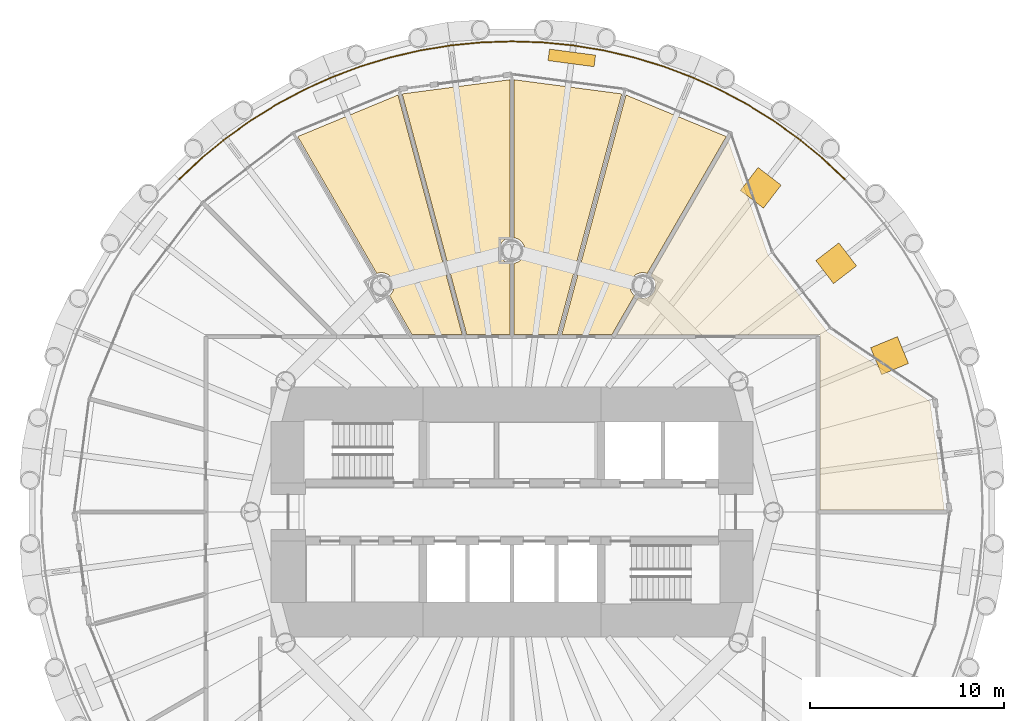
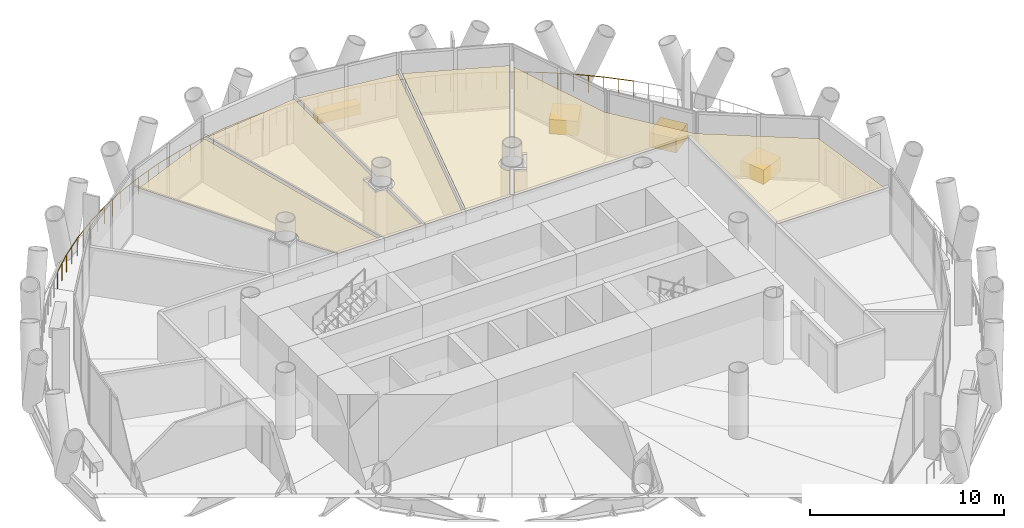
# One storey, part 16 of 16: 9 coverings, 1 railing.
"""IFC4 building model written with IfcOpenShell, lengths in metres."""

from ifc_helpers import new_model, si_unit, direction, frame, origin, origin_2d, place, context, subcontext, project, spatial, polyline, rectangle, circle, outline, extrude, material, layer, layer_set, type_object, element, save


model = new_model("IFC4")

# Units and contexts
model_context = context("Model", 3, precision=1e-05, world=origin(), true_north=direction((0.0, 1.0)))
body_context = subcontext(model_context, "Body", "Model", "MODEL_VIEW")
ifc_project = project(units=[si_unit("LENGTHUNIT", "METRE"), si_unit("AREAUNIT", "SQUARE_METRE"), si_unit("VOLUMEUNIT", "CUBIC_METRE"), si_unit("PLANEANGLEUNIT", "RADIAN"), si_unit("MASSUNIT", "GRAM", prefix="KILO")], contexts=[model_context])

# Site, building, storey
site_placement = place(None, origin())
site = spatial("IfcSite", under=ifc_project, at=site_placement, CompositionType="ELEMENT")
building_placement = place(site_placement, origin())
building = spatial("IfcBuilding", under=site, at=building_placement, Name="Qaws Media Tower", CompositionType="ELEMENT")
storey_placement = place(building_placement, frame((0.0, 0.0, 135.199951171875)))
storey = spatial("IfcBuildingStorey", under=building, at=storey_placement, Name="L30", CompositionType="ELEMENT", Elevation=135.199951171875)

# Covering
ifc_material_1 = material(Name="40 perforated acoustic panels with mineral wool backing, suspended", Category="mineral fibre")
ifc_layer_1 = layer(ifc_material_1, 0.0400390625)
ifc_layer_set_1 = layer_set([ifc_layer_1], Name="Acoustic panel ceiling 40")
covering_type_1 = type_object("IfcCoveringType", Name="Acoustic panel ceiling 40", PredefinedType="CEILING", material=ifc_layer_set_1)
covering_1_placement = place(storey_placement, frame((0.0, 0.0, 2.85009765625)))
element("IfcCovering", 1, at=covering_1_placement, inside=storey, type_object=covering_type_1, Name="CL3 ceiling L30-05 Meeting room", PredefinedType="CEILING", context=body_context, shape_type="SweptSolid", body=[
    extrude(outline(polyline([(59.887451171875, 72.3203125), (59.887451171875, 64.1572265625), (59.8271484375, 64.145263671875), (59.744384765625, 64.1171875), (59.666015625, 64.07861328125), (59.59326171875, 64.030029296875), (59.527587890625, 63.972412109375), (59.469970703125, 63.90673828125), (59.42138671875, 63.833984375), (59.3828125, 63.755615234375), (59.354736328125, 63.6728515625), (59.337646484375, 63.587158203125), (59.33203125, 63.5), (59.337646484375, 63.412841796875), (59.354736328125, 63.3271484375), (59.3828125, 63.244384765625), (59.42138671875, 63.166015625), (59.469970703125, 63.09326171875), (59.527587890625, 63.027587890625), (59.59326171875, 62.969970703125), (59.666015625, 62.92138671875), (59.744384765625, 62.8828125), (59.8271484375, 62.854736328125), (59.887451171875, 62.8427734375), (59.887451171875, 59.16259765625), (57.661376953125, 59.16259765625), (54.331787109375, 71.589111328125), (59.887451171875, 72.3203125)])), origin(), (0.0, 0.0, 1.0), 0.0400390625),
])

# Railing
ifc_material_2 = material(Name="Stainless steel and glass guard", Category="steel")
railing_type = type_object("IfcRailingType", Name="Balcony guard 1100", PredefinedType="GUARDRAIL", material=ifc_material_2)
railing_placement = place(storey_placement, frame((77.1826171875, 67.1826171875, 0.0)))
element("IfcRailing", 2, at=railing_placement, inside=storey, type_object=railing_type, Name="GR1 balcony guard L30-1", PredefinedType="GUARDRAIL", context=body_context, shape_type="SweptSolid", body=[
    extrude(circle(Radius=0.02392578125, at=origin_2d()), frame((0.0, 0.0, 1.076171875), z_axis=(-0.729762203547, 0.683701050367, 0.0), x_axis=(-0.683701050367, -0.729762203547, 0.0)), (0.0, 0.0, 1.0), 1.590087890625),
    extrude(circle(Radius=0.02392578125, at=origin_2d()), frame((-1.160400390625, 1.087158203125, 1.076171875), z_axis=(-0.77301931576, 0.634382485148, 0.0), x_axis=(-0.634382485148, -0.77301931576, 0.0)), (0.0, 0.0, 1.0), 1.590087890625),
    extrude(circle(Radius=0.02392578125, at=origin_2d()), frame((-2.3896484375, 2.095947265625, 1.076171875), z_axis=(-0.812871639536, 0.582442870708, 0.0), x_axis=(-0.582442870708, -0.812871639536, 0.0)), (0.0, 0.0, 1.0), 1.59033203125),
    extrude(circle(Radius=0.02392578125, at=origin_2d()), frame((-3.682373046875, 3.022216796875, 1.076171875), z_axis=(-0.849229502539, 0.528023912354, 0.0), x_axis=(-0.528023912354, -0.849229502539, 0.0)), (0.0, 0.0, 1.0), 1.590087890625),
    extrude(circle(Radius=0.02392578125, at=origin_2d()), frame((-5.03271484375, 3.86181640625, 1.076171875), z_axis=(-0.881936070718, 0.471369035011, 0.0), x_axis=(-0.471369035011, -0.881936070718, 0.0)), (0.0, 0.0, 1.0), 1.590087890625),
    extrude(circle(Radius=0.02392578125, at=origin_2d()), frame((-6.43505859375, 4.611328125, 1.076171875), z_axis=(-0.910849638216, 0.412738339097, 0.0), x_axis=(-0.412738339097, -0.910849638216, 0.0)), (0.0, 0.0, 1.0), 1.590087890625),
    extrude(circle(Radius=0.02392578125, at=origin_2d()), frame((-7.88330078125, 5.267578125, 1.076171875), z_axis=(-0.935874135155, 0.352334504623, 0.0), x_axis=(-0.352334504623, -0.935874135155, 0.0)), (0.0, 0.0, 1.0), 1.59033203125),
    extrude(circle(Radius=0.02392578125, at=origin_2d()), frame((-9.37158203125, 5.827880859375, 1.076171875), z_axis=(-0.956972738036, 0.290177839706, 0.0), x_axis=(-0.290177839706, -0.956972738036, 0.0)), (0.0, 0.0, 1.0), 1.590087890625),
    extrude(circle(Radius=0.02392578125, at=origin_2d()), frame((-10.893310546875, 6.289306640625, 1.076171875), z_axis=(-0.973876305837, 0.227079151243, 0.0), x_axis=(-0.227079151243, -0.973876305837, 0.0)), (0.0, 0.0, 1.0), 1.590087890625),
    extrude(circle(Radius=0.02392578125, at=origin_2d()), frame((-12.44189453125, 6.650390625, 1.076171875), z_axis=(-0.986641774784, 0.162904905547, 0.0), x_axis=(-0.162904905547, -0.986641774784, 0.0)), (0.0, 0.0, 1.0), 1.590087890625),
    extrude(circle(Radius=0.02392578125, at=origin_2d()), frame((-14.0107421875, 6.909423828125, 1.076171875), z_axis=(-0.995176055804, 0.098105137251, 0.0), x_axis=(-0.098105137251, -0.995176055804, 0.0)), (0.0, 0.0, 1.0), 1.590087890625),
    extrude(circle(Radius=0.02392578125, at=origin_2d()), frame((-15.59326171875, 7.0654296875, 1.076171875), z_axis=(-0.999465166364, 0.032701394844, 0.0), x_axis=(-0.032701394844, -0.999465166364, 0.0)), (0.0, 0.0, 1.0), 1.590087890625),
    extrude(circle(Radius=0.02392578125, at=origin_2d()), frame((-17.1826171875, 7.117431640625, 1.076171875), z_axis=(-0.999465166364, -0.032701394844, 0.0), x_axis=(0.032701394844, -0.999465166364, 0.0)), (0.0, 0.0, 1.0), 1.590087890625),
    extrude(circle(Radius=0.02392578125, at=origin_2d()), frame((-18.77197265625, 7.0654296875, 1.076171875), z_axis=(-0.995176055804, -0.098105137251, 0.0), x_axis=(0.098105137251, -0.995176055804, 0.0)), (0.0, 0.0, 1.0), 1.590087890625),
    extrude(circle(Radius=0.02392578125, at=origin_2d()), frame((-20.3544921875, 6.909423828125, 1.076171875), z_axis=(-0.986641774784, -0.162904905547, 0.0), x_axis=(0.162904905547, -0.986641774784, 0.0)), (0.0, 0.0, 1.0), 1.590087890625),
    extrude(circle(Radius=0.02392578125, at=origin_2d()), frame((-21.92333984375, 6.650390625, 1.076171875), z_axis=(-0.973876305837, -0.227079151243, 0.0), x_axis=(0.227079151243, -0.973876305837, 0.0)), (0.0, 0.0, 1.0), 1.590087890625),
    extrude(circle(Radius=0.02392578125, at=origin_2d()), frame((-23.471923828125, 6.289306640625, 1.076171875), z_axis=(-0.956972738036, -0.290177839706, 0.0), x_axis=(0.290177839706, -0.956972738036, 0.0)), (0.0, 0.0, 1.0), 1.590087890625),
    extrude(circle(Radius=0.02392578125, at=origin_2d()), frame((-24.99365234375, 5.827880859375, 1.076171875), z_axis=(-0.935874135155, -0.352334504623, 0.0), x_axis=(0.352334504623, -0.935874135155, 0.0)), (0.0, 0.0, 1.0), 1.59033203125),
    extrude(circle(Radius=0.02392578125, at=origin_2d()), frame((-26.48193359375, 5.267578125, 1.076171875), z_axis=(-0.910849638216, -0.412738339097, 0.0), x_axis=(0.412738339097, -0.910849638216, 0.0)), (0.0, 0.0, 1.0), 1.590087890625),
    extrude(circle(Radius=0.02392578125, at=origin_2d()), frame((-27.93017578125, 4.611328125, 1.076171875), z_axis=(-0.881936070718, -0.471369035011, 0.0), x_axis=(0.471369035011, -0.881936070718, 0.0)), (0.0, 0.0, 1.0), 1.590087890625),
    extrude(circle(Radius=0.02392578125, at=origin_2d()), frame((-29.33251953125, 3.86181640625, 1.076171875), z_axis=(-0.849229502539, -0.528023912354, 0.0), x_axis=(0.528023912354, -0.849229502539, 0.0)), (0.0, 0.0, 1.0), 1.590087890625),
    extrude(circle(Radius=0.02392578125, at=origin_2d()), frame((-30.682861328125, 3.022216796875, 1.076171875), z_axis=(-0.812871639536, -0.582442870708, 0.0), x_axis=(0.582442870708, -0.812871639536, 0.0)), (0.0, 0.0, 1.0), 1.59033203125),
    extrude(circle(Radius=0.02392578125, at=origin_2d()), frame((-31.9755859375, 2.095947265625, 1.076171875), z_axis=(-0.77301931576, -0.634382485148, 0.0), x_axis=(0.634382485148, -0.77301931576, 0.0)), (0.0, 0.0, 1.0), 1.590087890625),
    extrude(circle(Radius=0.02392578125, at=origin_2d()), frame((-33.204833984375, 1.087158203125, 1.076171875), z_axis=(-0.729762203547, -0.683701050367, 0.0), x_axis=(0.683701050367, -0.729762203547, 0.0)), (0.0, 0.0, 1.0), 1.590087890625),
    extrude(circle(Radius=0.02099609375, at=origin_2d()), origin(), (0.0, 0.0, 1.0), 1.052001953125),
    extrude(circle(Radius=0.02099609375, at=origin_2d()), frame((-0.580078125, 0.54345703125, 0.0)), (0.0, 0.0, 1.0), 1.052001953125),
    extrude(circle(Radius=0.02099609375, at=origin_2d()), frame((-1.160400390625, 1.087158203125, 0.0)), (0.0, 0.0, 1.0), 1.052001953125),
    extrude(circle(Radius=0.02099609375, at=origin_2d()), frame((-1.77490234375, 1.591552734375, 0.0)), (0.0, 0.0, 1.0), 1.052001953125),
    extrude(circle(Radius=0.02099609375, at=origin_2d()), frame((-2.3896484375, 2.095947265625, 0.0)), (0.0, 0.0, 1.0), 1.052001953125),
    extrude(circle(Radius=0.02099609375, at=origin_2d()), frame((-3.0361328125, 2.55908203125, 0.0)), (0.0, 0.0, 1.0), 1.052001953125),
    extrude(circle(Radius=0.02099609375, at=origin_2d()), frame((-3.682373046875, 3.022216796875, 0.0)), (0.0, 0.0, 1.0), 1.052001953125),
    extrude(circle(Radius=0.02099609375, at=origin_2d()), frame((-4.357421875, 3.44189453125, 0.0)), (0.0, 0.0, 1.0), 1.052001953125),
    extrude(circle(Radius=0.02099609375, at=origin_2d()), frame((-5.03271484375, 3.86181640625, 0.0)), (0.0, 0.0, 1.0), 1.052001953125),
    extrude(circle(Radius=0.02099609375, at=origin_2d()), frame((-5.73388671875, 4.236572265625, 0.0)), (0.0, 0.0, 1.0), 1.052001953125),
    extrude(circle(Radius=0.02099609375, at=origin_2d()), frame((-6.43505859375, 4.611328125, 0.0)), (0.0, 0.0, 1.0), 1.052001953125),
    extrude(circle(Radius=0.02099609375, at=origin_2d()), frame((-7.1591796875, 4.939453125, 0.0)), (0.0, 0.0, 1.0), 1.052001953125),
    extrude(circle(Radius=0.02099609375, at=origin_2d()), frame((-7.88330078125, 5.267578125, 0.0)), (0.0, 0.0, 1.0), 1.052001953125),
    extrude(circle(Radius=0.02099609375, at=origin_2d()), frame((-8.62744140625, 5.5478515625, 0.0)), (0.0, 0.0, 1.0), 1.052001953125),
    extrude(circle(Radius=0.02099609375, at=origin_2d()), frame((-9.37158203125, 5.827880859375, 0.0)), (0.0, 0.0, 1.0), 1.052001953125),
    extrude(circle(Radius=0.02099609375, at=origin_2d()), frame((-10.13232421875, 6.05859375, 0.0)), (0.0, 0.0, 1.0), 1.052001953125),
    extrude(circle(Radius=0.02099609375, at=origin_2d()), frame((-10.893310546875, 6.289306640625, 0.0)), (0.0, 0.0, 1.0), 1.052001953125),
    extrude(circle(Radius=0.02099609375, at=origin_2d()), frame((-11.66748046875, 6.4697265625, 0.0)), (0.0, 0.0, 1.0), 1.052001953125),
    extrude(circle(Radius=0.02099609375, at=origin_2d()), frame((-12.44189453125, 6.650390625, 0.0)), (0.0, 0.0, 1.0), 1.052001953125),
    extrude(circle(Radius=0.02099609375, at=origin_2d()), frame((-13.226318359375, 6.77978515625, 0.0)), (0.0, 0.0, 1.0), 1.052001953125),
    extrude(circle(Radius=0.02099609375, at=origin_2d()), frame((-14.0107421875, 6.909423828125, 0.0)), (0.0, 0.0, 1.0), 1.052001953125),
    extrude(circle(Radius=0.02099609375, at=origin_2d()), frame((-14.802001953125, 6.9873046875, 0.0)), (0.0, 0.0, 1.0), 1.052001953125),
    extrude(circle(Radius=0.02099609375, at=origin_2d()), frame((-15.59326171875, 7.0654296875, 0.0)), (0.0, 0.0, 1.0), 1.052001953125),
    extrude(circle(Radius=0.02099609375, at=origin_2d()), frame((-16.387939453125, 7.09130859375, 0.0)), (0.0, 0.0, 1.0), 1.052001953125),
    extrude(circle(Radius=0.02099609375, at=origin_2d()), frame((-17.1826171875, 7.117431640625, 0.0)), (0.0, 0.0, 1.0), 1.052001953125),
    extrude(circle(Radius=0.02099609375, at=origin_2d()), frame((-17.977294921875, 7.09130859375, 0.0)), (0.0, 0.0, 1.0), 1.052001953125),
    extrude(circle(Radius=0.02099609375, at=origin_2d()), frame((-18.77197265625, 7.0654296875, 0.0)), (0.0, 0.0, 1.0), 1.052001953125),
    extrude(circle(Radius=0.02099609375, at=origin_2d()), frame((-19.563232421875, 6.9873046875, 0.0)), (0.0, 0.0, 1.0), 1.052001953125),
    extrude(circle(Radius=0.02099609375, at=origin_2d()), frame((-20.3544921875, 6.909423828125, 0.0)), (0.0, 0.0, 1.0), 1.052001953125),
    extrude(circle(Radius=0.02099609375, at=origin_2d()), frame((-21.138916015625, 6.77978515625, 0.0)), (0.0, 0.0, 1.0), 1.052001953125),
    extrude(circle(Radius=0.02099609375, at=origin_2d()), frame((-21.92333984375, 6.650390625, 0.0)), (0.0, 0.0, 1.0), 1.052001953125),
    extrude(circle(Radius=0.02099609375, at=origin_2d()), frame((-22.69775390625, 6.4697265625, 0.0)), (0.0, 0.0, 1.0), 1.052001953125),
    extrude(circle(Radius=0.02099609375, at=origin_2d()), frame((-23.471923828125, 6.289306640625, 0.0)), (0.0, 0.0, 1.0), 1.052001953125),
    extrude(circle(Radius=0.02099609375, at=origin_2d()), frame((-24.23291015625, 6.05859375, 0.0)), (0.0, 0.0, 1.0), 1.052001953125),
    extrude(circle(Radius=0.02099609375, at=origin_2d()), frame((-24.99365234375, 5.827880859375, 0.0)), (0.0, 0.0, 1.0), 1.052001953125),
    extrude(circle(Radius=0.02099609375, at=origin_2d()), frame((-25.73779296875, 5.5478515625, 0.0)), (0.0, 0.0, 1.0), 1.052001953125),
    extrude(circle(Radius=0.02099609375, at=origin_2d()), frame((-26.48193359375, 5.267578125, 0.0)), (0.0, 0.0, 1.0), 1.052001953125),
    extrude(circle(Radius=0.02099609375, at=origin_2d()), frame((-27.2060546875, 4.939453125, 0.0)), (0.0, 0.0, 1.0), 1.052001953125),
    extrude(circle(Radius=0.02099609375, at=origin_2d()), frame((-27.93017578125, 4.611328125, 0.0)), (0.0, 0.0, 1.0), 1.052001953125),
    extrude(circle(Radius=0.02099609375, at=origin_2d()), frame((-28.63134765625, 4.236572265625, 0.0)), (0.0, 0.0, 1.0), 1.052001953125),
    extrude(circle(Radius=0.02099609375, at=origin_2d()), frame((-29.33251953125, 3.86181640625, 0.0)), (0.0, 0.0, 1.0), 1.052001953125),
    extrude(circle(Radius=0.02099609375, at=origin_2d()), frame((-30.0078125, 3.44189453125, 0.0)), (0.0, 0.0, 1.0), 1.052001953125),
    extrude(circle(Radius=0.02099609375, at=origin_2d()), frame((-30.682861328125, 3.022216796875, 0.0)), (0.0, 0.0, 1.0), 1.052001953125),
    extrude(circle(Radius=0.02099609375, at=origin_2d()), frame((-31.3291015625, 2.55908203125, 0.0)), (0.0, 0.0, 1.0), 1.052001953125),
    extrude(circle(Radius=0.02099609375, at=origin_2d()), frame((-31.9755859375, 2.095947265625, 0.0)), (0.0, 0.0, 1.0), 1.052001953125),
    extrude(circle(Radius=0.02099609375, at=origin_2d()), frame((-32.59033203125, 1.591552734375, 0.0)), (0.0, 0.0, 1.0), 1.052001953125),
    extrude(circle(Radius=0.02099609375, at=origin_2d()), frame((-33.204833984375, 1.087158203125, 0.0)), (0.0, 0.0, 1.0), 1.052001953125),
    extrude(circle(Radius=0.02099609375, at=origin_2d()), frame((-33.78515625, 0.54345703125, 0.0)), (0.0, 0.0, 1.0), 1.052001953125),
    extrude(circle(Radius=0.02099609375, at=origin_2d()), frame((-34.365234375, 0.0, 0.0)), (0.0, 0.0, 1.0), 1.052001953125),
])

# Coverings
ifc_material_3 = material(Name="600 x 600 mineral fibre tiles in exposed grid, suspended", Category="mineral fibre")
ifc_layer_2 = layer(ifc_material_3, 0.02001953125)
ifc_layer_set_2 = layer_set([ifc_layer_2], Name="Mineral fibre tile ceiling 20")
covering_type_2 = type_object("IfcCoveringType", Name="Mineral fibre tile ceiling 20", PredefinedType="CEILING", material=ifc_layer_set_2)
covering_2_placement = place(storey_placement, frame((0.0, 0.0, 2.85009765625)))
element("IfcCovering", 3, at=covering_2_placement, inside=storey, type_object=covering_type_2, Name="CL1 ceiling L30-02 Paralegal office", PredefinedType="CEILING", context=body_context, shape_type="SweptSolid", body=[
    extrude(outline(polyline([(73.200927734375, 63.308837890625), (76.27197265625, 59.306640625), (81.5849609375, 55.6982421875), (82.3203125, 50.112548828125), (75.91259765625, 50.112548828125), (75.91259765625, 59.16259765625), (65.419921875, 59.16259765625), (66.518798828125, 61.06591796875), (66.5771484375, 61.046142578125), (66.662841796875, 61.029052734375), (66.75, 61.023193359375), (66.837158203125, 61.029052734375), (66.9228515625, 61.046142578125), (67.005615234375, 61.07421875), (67.083984375, 61.11279296875), (67.15673828125, 61.161376953125), (67.222412109375, 61.218994140625), (67.280029296875, 61.28466796875), (67.32861328125, 61.357421875), (67.3671875, 61.435791015625), (67.395263671875, 61.5185546875), (67.412353515625, 61.604248046875), (67.41796875, 61.69140625), (67.412353515625, 61.778564453125), (67.395263671875, 61.8642578125), (67.3671875, 61.947021484375), (67.32861328125, 62.025390625), (67.280029296875, 62.097900390625), (67.222412109375, 62.163818359375), (67.176025390625, 62.204345703125), (71.17529296875, 69.13134765625), (73.200927734375, 63.308837890625)])), origin(), (0.0, 0.0, 1.0), 0.02001953125),
])
covering_3_placement = place(storey_placement, frame((0.0, 0.0, 2.85009765625)))
element("IfcCovering", 4, at=covering_3_placement, inside=storey, type_object=covering_type_2, Name="CL1 ceiling L30-03 Office", PredefinedType="CEILING", context=body_context, shape_type="SweptSolid", body=[
    extrude(outline(polyline([(71.062744140625, 69.38623046875), (66.981201171875, 62.31689453125), (66.9228515625, 62.336669921875), (66.837158203125, 62.353515625), (66.75, 62.359375), (66.662841796875, 62.353515625), (66.5771484375, 62.336669921875), (66.494384765625, 62.30859375), (66.416015625, 62.269775390625), (66.34326171875, 62.22119140625), (66.277587890625, 62.163818359375), (66.219970703125, 62.097900390625), (66.17138671875, 62.025390625), (66.1328125, 61.947021484375), (66.104736328125, 61.8642578125), (66.087646484375, 61.778564453125), (66.08203125, 61.69140625), (66.087646484375, 61.604248046875), (66.104736328125, 61.5185546875), (66.1328125, 61.435791015625), (66.17138671875, 61.357421875), (66.219970703125, 61.28466796875), (66.277587890625, 61.218994140625), (66.323974609375, 61.178466796875), (65.16015625, 59.16259765625), (62.571533203125, 59.16259765625), (65.885498046875, 71.53076171875), (71.062744140625, 69.38623046875)])), origin(), (0.0, 0.0, 1.0), 0.02001953125),
])
covering_4_placement = place(storey_placement, frame((0.0, 0.0, 2.85009765625)))
element("IfcCovering", 5, at=covering_4_placement, inside=storey, type_object=covering_type_2, Name="CL1 ceiling L30-04 Office", PredefinedType="CEILING", context=body_context, shape_type="SweptSolid", body=[
    extrude(outline(polyline([(65.668212890625, 71.589111328125), (62.338623046875, 59.16259765625), (60.112548828125, 59.16259765625), (60.112548828125, 62.8427734375), (60.1728515625, 62.854736328125), (60.255615234375, 62.8828125), (60.333984375, 62.92138671875), (60.40673828125, 62.969970703125), (60.472412109375, 63.027587890625), (60.530029296875, 63.09326171875), (60.57861328125, 63.166015625), (60.6171875, 63.244384765625), (60.645263671875, 63.3271484375), (60.662353515625, 63.412841796875), (60.66796875, 63.5), (60.662353515625, 63.587158203125), (60.645263671875, 63.6728515625), (60.6171875, 63.755615234375), (60.57861328125, 63.833984375), (60.530029296875, 63.90673828125), (60.472412109375, 63.972412109375), (60.40673828125, 64.030029296875), (60.333984375, 64.07861328125), (60.255615234375, 64.1171875), (60.1728515625, 64.145263671875), (60.112548828125, 64.1572265625), (60.112548828125, 72.3203125), (65.668212890625, 71.589111328125)])), origin(), (0.0, 0.0, 1.0), 0.02001953125),
])
covering_5_placement = place(storey_placement, frame((0.0, 0.0, 2.85009765625)))
element("IfcCovering", 6, at=covering_5_placement, inside=storey, type_object=covering_type_2, Name="CL1 ceiling L30-06 Office", PredefinedType="CEILING", context=body_context, shape_type="SweptSolid", body=[
    extrude(outline(polyline([(54.114501953125, 71.53076171875), (57.428466796875, 59.16259765625), (54.83984375, 59.16259765625), (53.676025390625, 61.178466796875), (53.722412109375, 61.218994140625), (53.780029296875, 61.28466796875), (53.82861328125, 61.357421875), (53.8671875, 61.435791015625), (53.895263671875, 61.5185546875), (53.912353515625, 61.604248046875), (53.91796875, 61.69140625), (53.912353515625, 61.778564453125), (53.895263671875, 61.8642578125), (53.8671875, 61.947021484375), (53.82861328125, 62.025390625), (53.780029296875, 62.097900390625), (53.722412109375, 62.163818359375), (53.65673828125, 62.22119140625), (53.583984375, 62.269775390625), (53.505615234375, 62.30859375), (53.4228515625, 62.336669921875), (53.337158203125, 62.353515625), (53.25, 62.359375), (53.162841796875, 62.353515625), (53.0771484375, 62.336669921875), (53.018798828125, 62.31689453125), (48.937255859375, 69.38623046875), (54.114501953125, 71.53076171875)])), origin(), (0.0, 0.0, 1.0), 0.02001953125),
])
ifc_material_4 = material(Name="Precast concrete planter with trailing planting", Category="concrete")
ifc_layer_3 = layer(ifc_material_4, 0.60009765625)
ifc_layer_set_3 = layer_set([ifc_layer_3], Name="Planter 2400x600")
covering_type_3 = type_object("IfcCoveringType", Name="Planter 2400x600", PredefinedType="USERDEFINED", material=ifc_layer_set_3)
covering_6_placement = place(storey_placement, frame((63.0869140625, 73.44775390625, 0.0), z_axis=(0.0, 0.0, 1.0), x_axis=(-0.991444861374, 0.13052619222, 0.0)))
element("IfcCovering", 7, at=covering_6_placement, inside=storey, type_object=covering_type_3, Name="PL1 balcony planter L30-03", ObjectType="PLANTER", PredefinedType="USERDEFINED", context=body_context, shape_type="SweptSolid", body=[
    extrude(rectangle(XDim=2.39990234375, YDim=0.60009765625, at=origin_2d()), origin(), (0.0, 0.0, 1.0), 0.60009765625),
])
ifc_material_5 = material(Name="Precast concrete tree planter", Category="concrete")
ifc_layer_4 = layer(ifc_material_5, 0.89990234375)
ifc_layer_set_4 = layer_set([ifc_layer_4], Name="Tree planter 1500")
covering_type_4 = type_object("IfcCoveringType", Name="Tree planter 1500", PredefinedType="USERDEFINED", material=ifc_layer_set_4)
for number, where, z_axis, x_axis, name in (
    (8, (79.493896484375, 58.07470703125, 0.0), (0.0, 0.0, 1.0), (0.923879532511, 0.382683432365, 0.0), "PL2 sky garden tree planter L30-1"),
    (9, (76.73974609375, 62.844970703125, 0.0), (0.0, 0.0, 1.0), (0.793353340291, 0.608761429009, 0.0), "PL2 sky garden tree planter L30-2"),
    (10, (72.844970703125, 66.73974609375, 0.0), (0.0, 0.0, 1.0), (0.608761429009, 0.793353340291, 0.0), "PL2 sky garden tree planter L30-3"),
):
    element("IfcCovering", number, at=place(storey_placement, frame(where, z_axis=z_axis, x_axis=x_axis)), inside=storey, type_object=covering_type_4, Name=name, ObjectType="PLANTER", PredefinedType="USERDEFINED", context=body_context, shape_type="SweptSolid", body=[
        extrude(rectangle(XDim=1.5, YDim=1.5, at=origin_2d()), origin(), (0.0, 0.0, 1.0), 0.89990234375),
    ])

save(model, "model.ifc")
